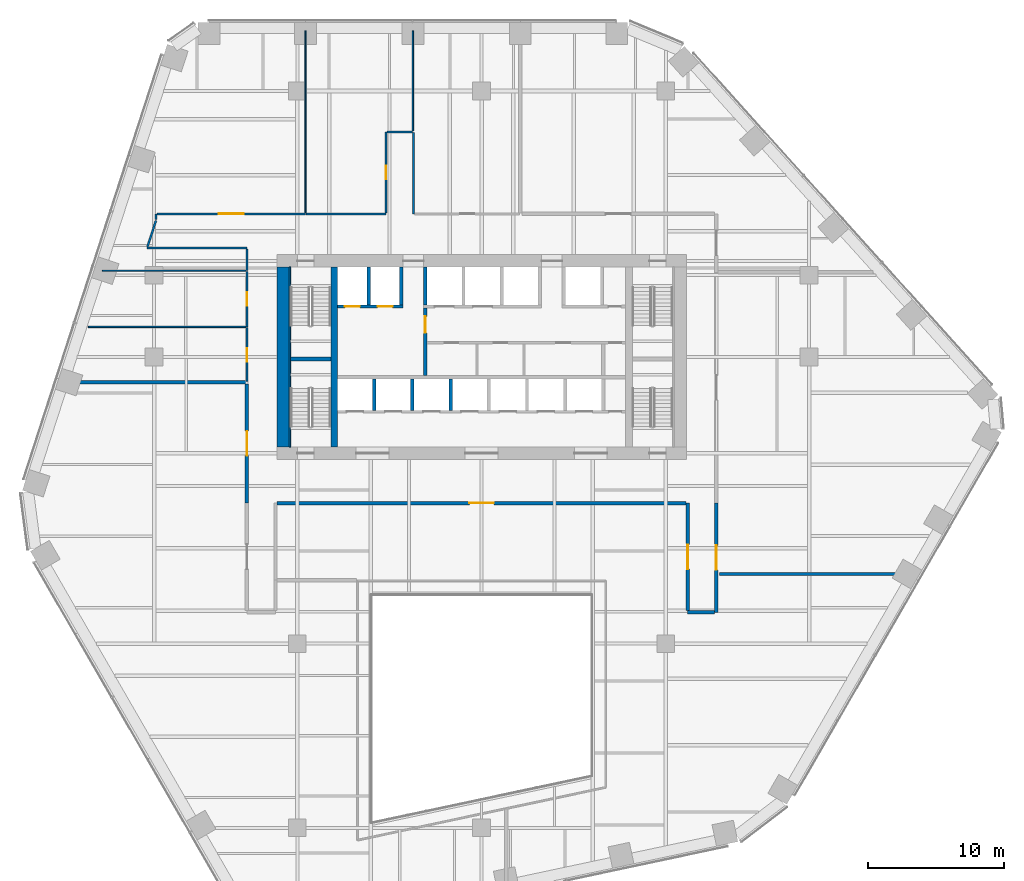
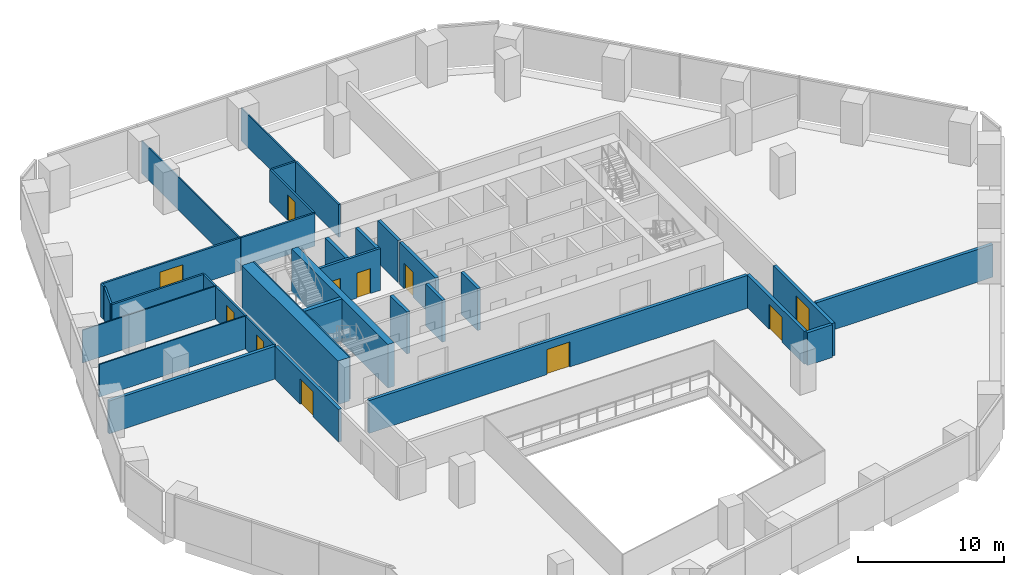
# One storey, part 14 of 19: 34 walls, 11 doors, 11 openings.
"""IFC4 building model written with IfcOpenShell, lengths in metres."""

from ifc_helpers import new_model, si_unit, direction, frame, frame_2d, origin, place, context, subcontext, project, spatial, rectangle, extrude, material, layer, layer_set, type_object, element, fill, save


model = new_model("IFC4")

# Units and contexts
model_context = context("Model", 3, precision=1e-05, world=origin(), true_north=direction((0.0, 1.0)))
body_context = subcontext(model_context, "Body", "Model", "MODEL_VIEW")
ifc_project = project(units=[si_unit("LENGTHUNIT", "METRE"), si_unit("AREAUNIT", "SQUARE_METRE"), si_unit("VOLUMEUNIT", "CUBIC_METRE"), si_unit("PLANEANGLEUNIT", "RADIAN"), si_unit("MASSUNIT", "GRAM", prefix="KILO")], contexts=[model_context])

# Site, building, storey
site_placement = place(None, origin())
site = spatial("IfcSite", under=ifc_project, at=site_placement, CompositionType="ELEMENT")
building_placement = place(site_placement, origin())
building = spatial("IfcBuilding", under=site, at=building_placement, Name="Isthmus Gate Tower", CompositionType="ELEMENT")
storey_placement = place(building_placement, frame((0.0, 0.0, 95.25)))
storey = spatial("IfcBuildingStorey", under=building, at=storey_placement, Name="L22", CompositionType="ELEMENT", Elevation=95.25)

# Wall, opening, door
ifc_material_1 = material(Name="Double-leaf acoustic stud wall, fire-rated", Category="gypsum")
ifc_layer_1 = layer(ifc_material_1, 0.25)
ifc_layer_set_1 = layer_set([ifc_layer_1], Name="ACOUSTIC WALL 250 60 MIN")
wall_type_1 = type_object("IfcWallType", Name="ACOUSTIC WALL 250 60 MIN", PredefinedType="PARTITIONING", material=ifc_layer_set_1)
wall_1_placement = place(storey_placement, frame((14.97509765625, -3.199951171875, 0.0), z_axis=(0.0, 0.0, 1.0), x_axis=(-1.0, 0.0, 0.0)))
wall_1 = element("IfcWall", 1, at=wall_1_placement, inside=storey, type_object=wall_type_1, Name="L22 Acoustic Wall 250 60 Min", PredefinedType="PARTITIONING", context=body_context, shape_type="SweptSolid", body=[
    extrude(rectangle(XDim=29.9501953125, YDim=0.25, at=frame_2d((14.97509765625, 0.0))), origin(), (0.0, 0.0, 1.0), 2.7412109375),
])
opening_1_placement = place(wall_1_placement, frame((14.074951171875, 0.0, 0.0)))
opening_1 = element("IfcOpeningElement", 2, at=opening_1_placement, cuts=wall_1, Name="Opening DT-T2B-12", PredefinedType="OPENING", context=body_context, shape_type="SweptSolid", body=[
    extrude(rectangle(XDim=1.800048828125, YDim=2.10009765625, at=frame_2d((0.89990234375, 1.050048828125))), frame((0.0, 0.135009765625, 0.0), z_axis=(0.0, -1.0, 0.0), x_axis=(1.0, 0.0, 0.0)), (0.0, 0.0, 1.0), 0.27001953125),
])
ifc_material_2 = material(Name="Solid core timber door leaf, fire-rated", Category="wood")
door_type_1 = type_object("IfcDoorType", Name="FIRE DOOR ACOUSTIC ROOM 1800 X 2100 60 MIN", OperationType="DOUBLE_DOOR_DOUBLE_SWING", PredefinedType="DOOR", material=ifc_material_2)
door_1_placement = place(opening_1_placement, origin())
door_1 = element("IfcDoor", 3, at=door_1_placement, inside=storey, type_object=door_type_1, Name="L22 room door", OperationType="DOUBLE_DOOR_DOUBLE_SWING", OverallHeight=2.10009765625, OverallWidth=1.800048828125, PredefinedType="DOOR", context=body_context, shape_type="SweptSolid", body=[
    extrude(rectangle(XDim=1.800048828125, YDim=2.10009765625, at=frame_2d((0.89990234375, 1.050048828125))), frame((0.0, 0.02490234375, 0.0), z_axis=(0.0, -1.0, 0.0), x_axis=(1.0, 0.0, 0.0)), (0.0, 0.0, 1.0), 0.050048828125),
])
fill(opening_1, door_1)

wall_2_placement = place(storey_placement, frame((17.197998046875, -3.18798828125, 0.0), z_axis=(0.0, 0.0, 1.0), x_axis=(0.0, -1.0, 0.0)))
wall_2 = element("IfcWall", 4, at=wall_2_placement, inside=storey, type_object=wall_type_1, Name="L22 Acoustic Wall 250 60 Min", PredefinedType="PARTITIONING", context=body_context, shape_type="SweptSolid", body=[
    extrude(rectangle(XDim=8.011962890625, YDim=0.25, at=frame_2d((4.005859375, 0.0))), origin(), (0.0, 0.0, 1.0), 2.7412109375),
])
opening_2_placement = place(wall_2_placement, frame((3.10595703125, 0.0, 0.0)))
opening_2 = element("IfcOpeningElement", 5, at=opening_2_placement, cuts=wall_2, Name="Opening DT-T2B-09", PredefinedType="OPENING", context=body_context, shape_type="SweptSolid", body=[
    extrude(rectangle(XDim=1.800048828125, YDim=2.10009765625, at=frame_2d((0.89990234375, 1.050048828125))), frame((0.0, 0.135009765625, 0.0), z_axis=(0.0, -1.0, 0.0), x_axis=(1.0, 0.0, 0.0)), (0.0, 0.0, 1.0), 0.27001953125),
])
door_2_placement = place(opening_2_placement, origin())
door_2 = element("IfcDoor", 6, at=door_2_placement, inside=storey, type_object=door_type_1, Name="L22 room door", OperationType="DOUBLE_DOOR_DOUBLE_SWING", OverallHeight=2.10009765625, OverallWidth=1.800048828125, PredefinedType="DOOR", context=body_context, shape_type="SweptSolid", body=[
    extrude(rectangle(XDim=1.800048828125, YDim=2.10009765625, at=frame_2d((0.89990234375, 1.050048828125))), frame((0.0, 0.02490234375, 0.0), z_axis=(0.0, -1.0, 0.0), x_axis=(1.0, 0.0, 0.0)), (0.0, 0.0, 1.0), 0.050048828125),
])
fill(opening_2, door_2)

# Walls
wall_3_placement = place(storey_placement, frame((17.072998046875, -11.199951171875, 0.0), z_axis=(0.0, 0.0, 1.0), x_axis=(-1.0, 0.0, 0.0)))
element("IfcWall", 7, at=wall_3_placement, inside=storey, type_object=wall_type_1, Name="L22 Acoustic Wall 250 60 Min", PredefinedType="PARTITIONING", context=body_context, shape_type="SweptSolid", body=[
    extrude(rectangle(XDim=1.972900390625, YDim=0.25, at=frame_2d((0.986328125, 0.0))), origin(), (0.0, 0.0, 1.0), 2.7412109375),
])
wall_4_placement = place(storey_placement, frame((-30.44091796875, 5.660888671875, 0.0), z_axis=(0.0, 0.0, 1.0), x_axis=(1.0, 0.0, 0.0)))
element("IfcWall", 8, at=wall_4_placement, inside=storey, type_object=wall_type_1, Name="L22 Acoustic Wall 250 60 Min", PredefinedType="PARTITIONING", context=body_context, shape_type="SweptSolid", body=[
    extrude(rectangle(XDim=13.166015625, YDim=0.25, at=frame_2d((6.5830078125, 0.0))), origin(), (0.0, 0.0, 1.0), 2.7412109375),
])
wall_5_placement = place(storey_placement, frame((17.425048828125, -8.39990234375, 0.0), z_axis=(0.0, 0.0, 1.0), x_axis=(1.0, 0.0, 0.0)))
element("IfcWall", 9, at=wall_5_placement, inside=storey, type_object=wall_type_1, Name="L22 Acoustic Wall 250 60 Min", PredefinedType="PARTITIONING", context=body_context, shape_type="SweptSolid", body=[
    extrude(rectangle(XDim=13.98291015625, YDim=0.25, at=frame_2d((6.991455078125, 0.0))), origin(), (0.0, 0.0, 1.0), 2.7412109375),
])

# Wall, opening, door
wall_6_placement = place(storey_placement, frame((-17.199951171875, -3.18798828125, 0.0), z_axis=(0.0, 0.0, 1.0), x_axis=(0.0, 1.0, 0.0)))
wall_6 = element("IfcWall", 10, at=wall_6_placement, inside=storey, type_object=wall_type_1, Name="L22 Acoustic Wall 250 60 Min", PredefinedType="PARTITIONING", context=body_context, shape_type="SweptSolid", body=[
    extrude(rectangle(XDim=8.723876953125, YDim=0.25, at=frame_2d((4.36181640625, 0.0))), origin(), (0.0, 0.0, 1.0), 2.7412109375),
])
opening_3_placement = place(wall_6_placement, frame((3.4619140625, 0.0, 0.0)))
opening_3 = element("IfcOpeningElement", 11, at=opening_3_placement, cuts=wall_6, Name="Opening DT-T2B-10", PredefinedType="OPENING", context=body_context, shape_type="SweptSolid", body=[
    extrude(rectangle(XDim=1.800048828125, YDim=2.10009765625, at=frame_2d((0.89990234375, 1.050048828125))), frame((0.0, 0.135009765625, 0.0), z_axis=(0.0, -1.0, 0.0), x_axis=(1.0, 0.0, 0.0)), (0.0, 0.0, 1.0), 0.27001953125),
])
door_3_placement = place(opening_3_placement, origin())
door_3 = element("IfcDoor", 12, at=door_3_placement, inside=storey, type_object=door_type_1, Name="L22 room door", OperationType="DOUBLE_DOOR_DOUBLE_SWING", OverallHeight=2.10009765625, OverallWidth=1.800048828125, PredefinedType="DOOR", context=body_context, shape_type="SweptSolid", body=[
    extrude(rectangle(XDim=1.800048828125, YDim=2.10009765625, at=frame_2d((0.89990234375, 1.050048828125))), frame((0.0, 0.02490234375, 0.0), z_axis=(0.0, -1.0, 0.0), x_axis=(1.0, 0.0, 0.0)), (0.0, 0.0, 1.0), 0.050048828125),
])
fill(opening_3, door_3)

wall_7_placement = place(storey_placement, frame((15.10009765625, -11.074951171875, 0.0), z_axis=(0.0, 0.0, 1.0), x_axis=(0.0, 1.0, 0.0)))
wall_7 = element("IfcWall", 13, at=wall_7_placement, inside=storey, type_object=wall_type_1, Name="L22 Acoustic Wall 250 60 Min", PredefinedType="PARTITIONING", context=body_context, shape_type="SweptSolid", body=[
    extrude(rectangle(XDim=7.875, YDim=0.25, at=frame_2d((3.9375, 0.0))), origin(), (0.0, 0.0, 1.0), 2.7412109375),
])
opening_4_placement = place(wall_7_placement, frame((3.03759765625, 0.0, 0.0)))
opening_4 = element("IfcOpeningElement", 14, at=opening_4_placement, cuts=wall_7, Name="Opening DT-T2B-13", PredefinedType="OPENING", context=body_context, shape_type="SweptSolid", body=[
    extrude(rectangle(XDim=1.800048828125, YDim=2.10009765625, at=frame_2d((0.89990234375, 1.050048828125))), frame((0.0, 0.135009765625, 0.0), z_axis=(0.0, -1.0, 0.0), x_axis=(1.0, 0.0, 0.0)), (0.0, 0.0, 1.0), 0.27001953125),
])
door_4_placement = place(opening_4_placement, origin())
door_4 = element("IfcDoor", 15, at=door_4_placement, inside=storey, type_object=door_type_1, Name="L22 room door", OperationType="DOUBLE_DOOR_DOUBLE_SWING", OverallHeight=2.10009765625, OverallWidth=1.800048828125, PredefinedType="DOOR", context=body_context, shape_type="SweptSolid", body=[
    extrude(rectangle(XDim=1.800048828125, YDim=2.10009765625, at=frame_2d((0.89990234375, 1.050048828125))), frame((0.0, 0.02490234375, 0.0), z_axis=(0.0, -1.0, 0.0), x_axis=(1.0, 0.0, 0.0)), (0.0, 0.0, 1.0), 0.050048828125),
])
fill(opening_4, door_4)

# Walls
ifc_material_3 = material(Name="Gypsum board on steel studs, fire-rated", Category="steel")
ifc_layer_2 = layer(ifc_material_3, 0.14990234375)
ifc_layer_set_2 = layer_set([ifc_layer_2], Name="CORRIDOR WALL 150 60 MIN")
wall_type_2 = type_object("IfcWallType", Name="CORRIDOR WALL 150 60 MIN", PredefinedType="PARTITIONING", material=ifc_layer_set_2)
wall_8_placement = place(storey_placement, frame((-17.199951171875, 15.5, 0.0), z_axis=(0.0, 0.0, 1.0), x_axis=(-1.0, 0.0, 0.0)))
element("IfcWall", 16, at=wall_8_placement, inside=storey, type_object=wall_type_2, Name="L22 Corridor Wall 150 60 Min", PredefinedType="PARTITIONING", context=body_context, shape_type="SweptSolid", body=[
    extrude(rectangle(XDim=7.31103515625, YDim=0.14990234375, at=frame_2d((3.655517578125, 0.0))), origin(), (0.0, 0.0, 1.0), 2.7412109375),
])
wall_9_placement = place(storey_placement, frame((-5.0, 23.9619140625, 0.0), z_axis=(0.0, 0.0, 1.0), x_axis=(0.0, -1.0, 0.0)))
element("IfcWall", 17, at=wall_9_placement, inside=storey, type_object=wall_type_2, Name="L22 Corridor Wall 150 60 Min", PredefinedType="PARTITIONING", context=body_context, shape_type="SweptSolid", body=[
    extrude(rectangle(XDim=5.9619140625, YDim=0.14990234375, at=frame_2d((2.98095703125, 0.0))), origin(), (0.0, 0.0, 1.0), 2.7412109375),
])
wall_10_placement = place(storey_placement, frame((-24.48779296875, 15.5712890625, 0.0), z_axis=(0.0, 0.0, 1.0), x_axis=(0.309031629186, 0.951051761032, 0.0)))
element("IfcWall", 18, at=wall_10_placement, inside=storey, type_object=wall_type_2, Name="L22 Corridor Wall 150 60 Min", PredefinedType="PARTITIONING", context=body_context, shape_type="SweptSolid", body=[
    extrude(rectangle(XDim=2.028076171875, YDim=0.14990234375, at=frame_2d((1.01416015625, 0.0))), origin(), (0.0, 0.0, 1.0), 2.7412109375),
])
wall_11_placement = place(storey_placement, frame((-23.86279296875, 17.572998046875, 0.0), z_axis=(0.0, 0.0, 1.0), x_axis=(0.004002254967, 0.999991990946, 0.0)))
element("IfcWall", 19, at=wall_11_placement, inside=storey, type_object=wall_type_2, Name="L22 Corridor Wall 150 60 Min", PredefinedType="PARTITIONING", context=body_context, shape_type="SweptSolid", body=[
    extrude(rectangle(XDim=0.427001953125, YDim=0.14990234375, at=frame_2d((0.21337890625, 0.0))), origin(), (0.0, 0.0, 1.0), 2.7412109375),
])

# Wall, opening, door
wall_12_placement = place(storey_placement, frame((-23.785888671875, 18.0, 0.0), z_axis=(0.0, 0.0, 1.0), x_axis=(1.0, 0.0, 0.0)))
wall_12 = element("IfcWall", 20, at=wall_12_placement, inside=storey, type_object=wall_type_2, Name="L22 Corridor Wall 150 60 Min", PredefinedType="PARTITIONING", context=body_context, shape_type="SweptSolid", body=[
    extrude(rectangle(XDim=10.87890625, YDim=0.14990234375, at=frame_2d((5.439453125, 0.0))), origin(), (0.0, 0.0, 1.0), 2.7412109375),
])
opening_5_placement = place(wall_12_placement, frame((4.53955078125, 0.0, 0.0)))
opening_5 = element("IfcOpeningElement", 21, at=opening_5_placement, cuts=wall_12, Name="Opening DT-T2B-01", PredefinedType="OPENING", context=body_context, shape_type="SweptSolid", body=[
    extrude(rectangle(XDim=1.800048828125, YDim=2.10009765625, at=frame_2d((0.89990234375, 1.050048828125))), frame((0.0, 0.0849609375, 0.0), z_axis=(0.0, -1.0, 0.0), x_axis=(1.0, 0.0, 0.0)), (0.0, 0.0, 1.0), 0.169921875),
])
ifc_material_4 = material(Name="Solid core timber door leaf, fire-rated", Category="wood")
door_type_2 = type_object("IfcDoorType", Name="FIRE DOOR ROOM 1800 X 2100 60 MIN", OperationType="DOUBLE_DOOR_DOUBLE_SWING", PredefinedType="DOOR", material=ifc_material_4)
door_5_placement = place(opening_5_placement, origin())
door_5 = element("IfcDoor", 22, at=door_5_placement, inside=storey, type_object=door_type_2, Name="L22 room door", OperationType="DOUBLE_DOOR_DOUBLE_SWING", OverallHeight=2.10009765625, OverallWidth=1.800048828125, PredefinedType="DOOR", context=body_context, shape_type="SweptSolid", body=[
    extrude(rectangle(XDim=1.800048828125, YDim=2.10009765625, at=frame_2d((0.89990234375, 1.050048828125))), frame((0.0, 0.02490234375, 0.0), z_axis=(0.0, -1.0, 0.0), x_axis=(1.0, 0.0, 0.0)), (0.0, 0.0, 1.0), 0.050048828125),
])
fill(opening_5, door_5)

# Walls
wall_13_placement = place(storey_placement, frame((-17.199951171875, 13.830078125, 0.0), z_axis=(0.0, 0.0, 1.0), x_axis=(0.0, 1.0, 0.0)))
element("IfcWall", 23, at=wall_13_placement, inside=storey, type_object=wall_type_2, Name="L22 Corridor Wall 150 60 Min", PredefinedType="PARTITIONING", context=body_context, shape_type="SweptSolid", body=[
    extrude(rectangle(XDim=1.594970703125, YDim=0.14990234375, at=frame_2d((0.79736328125, 0.0))), origin(), (0.0, 0.0, 1.0), 2.7412109375),
])
wall_14_placement = place(storey_placement, frame((-12.85693359375, 18.0, 0.0), z_axis=(0.0, 0.0, 1.0), x_axis=(1.0, 0.0, 0.0)))
element("IfcWall", 24, at=wall_14_placement, inside=storey, type_object=wall_type_2, Name="L22 Corridor Wall 150 60 Min", PredefinedType="PARTITIONING", context=body_context, shape_type="SweptSolid", body=[
    extrude(rectangle(XDim=5.85693359375, YDim=0.14990234375, at=frame_2d((2.928466796875, 0.0))), origin(), (0.0, 0.0, 1.0), 2.7412109375),
])

# Wall, opening, door
wall_15_placement = place(storey_placement, frame((-7.0, 18.074951171875, 0.0), z_axis=(0.0, 0.0, 1.0), x_axis=(0.0, 1.0, 0.0)))
wall_15 = element("IfcWall", 25, at=wall_15_placement, inside=storey, type_object=wall_type_2, Name="L22 Corridor Wall 150 60 Min", PredefinedType="PARTITIONING", context=body_context, shape_type="SweptSolid", body=[
    extrude(rectangle(XDim=5.925048828125, YDim=0.14990234375, at=frame_2d((2.96240234375, 0.0))), origin(), (0.0, 0.0, 1.0), 2.7412109375),
])
opening_6_placement = place(wall_15_placement, frame((2.46240234375, 0.0, 0.0)))
opening_6 = element("IfcOpeningElement", 26, at=opening_6_placement, cuts=wall_15, Name="Opening DT-T2B-02", PredefinedType="OPENING", context=body_context, shape_type="SweptSolid", body=[
    extrude(rectangle(XDim=1.0, YDim=2.10009765625, at=frame_2d((0.5, 1.050048828125))), frame((0.0, 0.0849609375, 0.0), z_axis=(0.0, -1.0, 0.0), x_axis=(1.0, 0.0, 0.0)), (0.0, 0.0, 1.0), 0.169921875),
])
ifc_material_5 = material(Name="Solid core timber door leaf, fire-rated", Category="wood")
door_type_3 = type_object("IfcDoorType", Name="FIRE DOOR ROOM 1000 X 2100 60 MIN", OperationType="SINGLE_SWING_LEFT", PredefinedType="DOOR", material=ifc_material_5)
door_6_placement = place(opening_6_placement, origin())
door_6 = element("IfcDoor", 27, at=door_6_placement, inside=storey, type_object=door_type_3, Name="L22 room door", OperationType="SINGLE_SWING_RIGHT", OverallHeight=2.10009765625, OverallWidth=1.0, PredefinedType="DOOR", context=body_context, shape_type="SweptSolid", body=[
    extrude(rectangle(XDim=1.0, YDim=2.10009765625, at=frame_2d((0.5, 1.050048828125))), frame((0.0, 0.02490234375, 0.0), z_axis=(0.0, -1.0, 0.0), x_axis=(1.0, 0.0, 0.0)), (0.0, 0.0, 1.0), 0.050048828125),
])
fill(opening_6, door_6)

# Wall
wall_16_placement = place(storey_placement, frame((-6.925048828125, 24.0, 0.0), z_axis=(0.0, 0.0, 1.0), x_axis=(1.0, 0.0, 0.0)))
element("IfcWall", 28, at=wall_16_placement, inside=storey, type_object=wall_type_2, Name="L22 Corridor Wall 150 60 Min", PredefinedType="PARTITIONING", context=body_context, shape_type="SweptSolid", body=[
    extrude(rectangle(XDim=1.865966796875, YDim=0.14990234375, at=frame_2d((0.93310546875, 0.0))), origin(), (0.0, 0.0, 1.0), 2.7412109375),
])

# Wall, opening, door
wall_17_placement = place(storey_placement, frame((-17.199951171875, 9.714111328125, 0.0), z_axis=(0.0, 0.0, 1.0), x_axis=(0.0, 1.0, 0.0)))
wall_17 = element("IfcWall", 29, at=wall_17_placement, inside=storey, type_object=wall_type_2, Name="L22 Corridor Wall 150 60 Min", PredefinedType="PARTITIONING", context=body_context, shape_type="SweptSolid", body=[
    extrude(rectangle(XDim=4.06591796875, YDim=0.14990234375, at=frame_2d((2.032958984375, 0.0))), origin(), (0.0, 0.0, 1.0), 2.7412109375),
])
opening_7_placement = place(wall_17_placement, frame((1.532958984375, 0.0, 0.0)))
opening_7 = element("IfcOpeningElement", 30, at=opening_7_placement, cuts=wall_17, Name="Opening DT-T2B-06", PredefinedType="OPENING", context=body_context, shape_type="SweptSolid", body=[
    extrude(rectangle(XDim=1.0, YDim=2.10009765625, at=frame_2d((0.5, 1.050048828125))), frame((0.0, 0.0849609375, 0.0), z_axis=(0.0, -1.0, 0.0), x_axis=(1.0, 0.0, 0.0)), (0.0, 0.0, 1.0), 0.169921875),
])
door_7_placement = place(opening_7_placement, origin())
door_7 = element("IfcDoor", 31, at=door_7_placement, inside=storey, type_object=door_type_3, Name="L22 room door", OperationType="SINGLE_SWING_RIGHT", OverallHeight=2.10009765625, OverallWidth=1.0, PredefinedType="DOOR", context=body_context, shape_type="SweptSolid", body=[
    extrude(rectangle(XDim=1.0, YDim=2.10009765625, at=frame_2d((0.5, 1.050048828125))), frame((0.0, 0.02490234375, 0.0), z_axis=(0.0, -1.0, 0.0), x_axis=(1.0, 0.0, 0.0)), (0.0, 0.0, 1.0), 0.050048828125),
])
fill(opening_7, door_7)

wall_18_placement = place(storey_placement, frame((-17.199951171875, 5.7109375, 0.0), z_axis=(0.0, 0.0, 1.0), x_axis=(0.0, 1.0, 0.0)))
wall_18 = element("IfcWall", 32, at=wall_18_placement, inside=storey, type_object=wall_type_2, Name="L22 Corridor Wall 150 60 Min", PredefinedType="PARTITIONING", context=body_context, shape_type="SweptSolid", body=[
    extrude(rectangle(XDim=3.953125, YDim=0.14990234375, at=frame_2d((1.9765625, 0.0))), origin(), (0.0, 0.0, 1.0), 2.7412109375),
])
opening_8_placement = place(wall_18_placement, frame((1.451416015625, 0.0, 0.0)))
opening_8 = element("IfcOpeningElement", 33, at=opening_8_placement, cuts=wall_18, Name="Opening DT-T2B-07", PredefinedType="OPENING", context=body_context, shape_type="SweptSolid", body=[
    extrude(rectangle(XDim=1.0, YDim=2.10009765625, at=frame_2d((0.5, 1.050048828125))), frame((0.0, 0.0849609375, 0.0), z_axis=(0.0, -1.0, 0.0), x_axis=(1.0, 0.0, 0.0)), (0.0, 0.0, 1.0), 0.169921875),
])
door_8_placement = place(opening_8_placement, origin())
door_8 = element("IfcDoor", 34, at=door_8_placement, inside=storey, type_object=door_type_3, Name="L22 room door", OperationType="SINGLE_SWING_RIGHT", OverallHeight=2.10009765625, OverallWidth=1.0, PredefinedType="DOOR", context=body_context, shape_type="SweptSolid", body=[
    extrude(rectangle(XDim=1.0, YDim=2.10009765625, at=frame_2d((0.5, 1.050048828125))), frame((0.0, 0.02490234375, 0.0), z_axis=(0.0, -1.0, 0.0), x_axis=(1.0, 0.0, 0.0)), (0.0, 0.0, 1.0), 0.050048828125),
])
fill(opening_8, door_8)

ifc_material_6 = material(Name="Fire-rated blockwork masonry, 15 MPa", Category="masonry")
ifc_layer_3 = layer(ifc_material_6, 0.25)
ifc_layer_set_3 = layer_set([ifc_layer_3], Name="FIRE-FIGHTING LOBBY WALL 250 90 MIN")
wall_type_3 = type_object("IfcWallType", Name="FIRE-FIGHTING LOBBY WALL 250 90 MIN", PredefinedType="PARTITIONING", material=ifc_layer_set_3)
wall_19_placement = place(storey_placement, frame((-4.125, 6.14990234375, 0.0), z_axis=(0.0, 0.0, 1.0), x_axis=(0.0, 1.0, 0.0)))
wall_19 = element("IfcWall", 35, at=wall_19_placement, inside=storey, type_object=wall_type_3, Name="L22 FIRE-FIGHTING LOBBY WALL 250 90 MIN", PredefinedType="PARTITIONING", context=body_context, shape_type="SweptSolid", body=[
    extrude(rectangle(XDim=4.9501953125, YDim=0.25, at=frame_2d((2.47509765625, 0.0))), origin(), (0.0, 0.0, 1.0), 3.5),
])
opening_9_placement = place(wall_19_placement, frame((3.125, 0.0, 0.0)))
opening_9 = element("IfcOpeningElement", 36, at=opening_9_placement, cuts=wall_19, Name="Opening DC-A03-01", PredefinedType="OPENING", context=body_context, shape_type="SweptSolid", body=[
    extrude(rectangle(XDim=1.199951171875, YDim=2.10009765625, at=frame_2d((0.60009765625, 1.050048828125))), frame((0.0, 0.135009765625, 0.0), z_axis=(0.0, -1.0, 0.0), x_axis=(1.0, 0.0, 0.0)), (0.0, 0.0, 1.0), 0.27001953125),
])
ifc_material_7 = material(Name="Steel door leaf, fire-rated", Category="steel")
door_type_4 = type_object("IfcDoorType", Name="LOBBY FIRE DOOR 1200 X 2100 90 MIN", OperationType="DOUBLE_DOOR_SINGLE_SWING", PredefinedType="DOOR", material=ifc_material_7)
door_9_placement = place(opening_9_placement, origin())
door_9 = element("IfcDoor", 37, at=door_9_placement, inside=storey, type_object=door_type_4, Name="Fire-fighting Lobby Door", OperationType="SINGLE_SWING_LEFT", OverallHeight=2.10009765625, OverallWidth=1.199951171875, PredefinedType="DOOR", context=body_context, shape_type="SweptSolid", body=[
    extrude(rectangle(XDim=1.199951171875, YDim=2.10009765625, at=frame_2d((0.60009765625, 1.050048828125))), frame((0.0, 0.02490234375, 0.0), z_axis=(0.0, -1.0, 0.0), x_axis=(1.0, 0.0, 0.0)), (0.0, 0.0, 1.0), 0.050048828125),
])
fill(opening_9, door_9)

# Walls
ifc_material_8 = material(Name="Concrete f'c 70 MPa", Category="concrete")
ifc_layer_4 = layer(ifc_material_8, 0.5)
ifc_layer_set_4 = layer_set([ifc_layer_4], Name="RC CORE SPINE WALL 500 F'C 70")
wall_type_4 = type_object("IfcWallType", Name="RC CORE SPINE WALL 500 F'C 70", PredefinedType="SOLIDWALL", material=ifc_layer_set_4)
wall_20_placement = place(storey_placement, frame((-10.800048828125, 0.89990234375, -0.14990234375), z_axis=(0.0, 0.0, 1.0), x_axis=(0.0, 1.0, 0.0)))
element("IfcWall", 38, at=wall_20_placement, inside=storey, type_object=wall_type_4, Name="str-corewall-L22-SPW", PredefinedType="SOLIDWALL", context=body_context, shape_type="SweptSolid", body=[
    extrude(rectangle(XDim=13.2001953125, YDim=0.5, at=frame_2d((6.60009765625, 0.0))), origin(), (0.0, 0.0, 1.0), 3.64990234375),
])
ifc_material_9 = material(Name="Concrete f'c 70 MPa", Category="concrete")
ifc_layer_5 = layer(ifc_material_9, 0.89990234375)
ifc_layer_set_5 = layer_set([ifc_layer_5], Name="RC CORE WALL 900 F'C 70")
wall_type_5 = type_object("IfcWallType", Name="RC CORE WALL 900 F'C 70", PredefinedType="SOLIDWALL", material=ifc_layer_set_5)
wall_21_placement = place(storey_placement, frame((-14.550048828125, 0.89990234375, -0.14990234375), z_axis=(0.0, 0.0, 1.0), x_axis=(0.0, 1.0, 0.0)))
element("IfcWall", 39, at=wall_21_placement, inside=storey, type_object=wall_type_5, Name="str-corewall-L22-W", PredefinedType="SOLIDWALL", context=body_context, shape_type="SweptSolid", body=[
    extrude(rectangle(XDim=13.2001953125, YDim=0.89990234375, at=frame_2d((6.60009765625, 0.0))), origin(), (0.0, 0.0, 1.0), 3.64990234375),
])
ifc_material_10 = material(Name="Gypsum board on steel studs, fire-rated", Category="steel")
ifc_layer_6 = layer(ifc_material_10, 0.10009765625)
ifc_layer_set_6 = layer_set([ifc_layer_6], Name="ROOM PARTITION 100 30 MIN")
wall_type_6 = type_object("IfcWallType", Name="ROOM PARTITION 100 30 MIN", PredefinedType="PARTITIONING", material=ifc_layer_set_6)
wall_22_placement = place(storey_placement, frame((-12.906982421875, 18.074951171875, 0.0), z_axis=(0.0, 0.0, 1.0), x_axis=(0.0, 1.0, 0.0)))
element("IfcWall", 40, at=wall_22_placement, inside=storey, type_object=wall_type_6, Name="L22 Room Partition 100 30 Min", PredefinedType="PARTITIONING", context=body_context, shape_type="SweptSolid", body=[
    extrude(rectangle(XDim=13.324951171875, YDim=0.10009765625, at=frame_2d((6.66259765625, 0.0))), origin(), (0.0, 0.0, 1.0), 2.7412109375),
])
wall_23_placement = place(storey_placement, frame((-27.787109375, 13.830078125, 0.0), z_axis=(0.0, 0.0, 1.0), x_axis=(1.0, 0.0, 0.0)))
element("IfcWall", 41, at=wall_23_placement, inside=storey, type_object=wall_type_6, Name="L22 Room Partition 100 30 Min", PredefinedType="PARTITIONING", context=body_context, shape_type="SweptSolid", body=[
    extrude(rectangle(XDim=10.51220703125, YDim=0.10009765625, at=frame_2d((5.256103515625, 0.0))), origin(), (0.0, 0.0, 1.0), 2.7412109375),
])
wall_24_placement = place(storey_placement, frame((-5.037109375, 24.074951171875, 0.0), z_axis=(0.0, 0.0, 1.0), x_axis=(0.0, 1.0, 0.0)))
element("IfcWall", 42, at=wall_24_placement, inside=storey, type_object=wall_type_6, Name="L22 Room Partition 100 30 Min", PredefinedType="PARTITIONING", context=body_context, shape_type="SweptSolid", body=[
    extrude(rectangle(XDim=7.324951171875, YDim=0.10009765625, at=frame_2d((3.66259765625, 0.0))), origin(), (0.0, 0.0, 1.0), 2.7412109375),
])
wall_25_placement = place(storey_placement, frame((-28.823974609375, 9.714111328125, 0.0), z_axis=(0.0, 0.0, 1.0), x_axis=(1.0, 0.0, 0.0)))
element("IfcWall", 43, at=wall_25_placement, inside=storey, type_object=wall_type_6, Name="L22 Room Partition 100 30 Min", PredefinedType="PARTITIONING", context=body_context, shape_type="SweptSolid", body=[
    extrude(rectangle(XDim=11.549072265625, YDim=0.10009765625, at=frame_2d((5.7744140625, 0.0))), origin(), (0.0, 0.0, 1.0), 2.7412109375),
])

# Wall, openings, doors
ifc_material_11 = material(Name="Fire-rated blockwork masonry, 15 MPa", Category="masonry")
ifc_layer_7 = layer(ifc_material_11, 0.199951171875)
ifc_layer_set_7 = layer_set([ifc_layer_7], Name="SHAFT FRONT WALL 200 120 MIN")
wall_type_7 = type_object("IfcWallType", Name="SHAFT FRONT WALL 200 120 MIN", PredefinedType="PARTITIONING", material=ifc_layer_set_7)
wall_26_placement = place(storey_placement, frame((-10.550048828125, 11.199951171875, 0.0), z_axis=(0.0, 0.0, 1.0), x_axis=(1.0, 0.0, 0.0)))
wall_26 = element("IfcWall", 44, at=wall_26_placement, inside=storey, type_object=wall_type_7, Name="L22 SHAFT FRONT WALL 200 120 MIN", PredefinedType="PARTITIONING", context=body_context, shape_type="SweptSolid", body=[
    extrude(rectangle(XDim=4.800048828125, YDim=0.199951171875, at=frame_2d((2.39990234375, 0.0))), origin(), (0.0, 0.0, 1.0), 3.5),
])
opening_10_placement = place(wall_26_placement, frame((0.52490234375, 0.0, 0.0)))
opening_10 = element("IfcOpeningElement", 45, at=opening_10_placement, cuts=wall_26, Name="Opening LD-LF1", PredefinedType="OPENING", context=body_context, shape_type="SweptSolid", body=[
    extrude(rectangle(XDim=1.10009765625, YDim=2.10009765625, at=frame_2d((0.550048828125, 1.050048828125))), frame((0.0, 0.10986328125, 0.0), z_axis=(0.0, -1.0, 0.0), x_axis=(1.0, 0.0, 0.0)), (0.0, 0.0, 1.0), 0.219970703125),
])
opening_11_placement = place(wall_26_placement, frame((2.925048828125, 0.0, 0.0)))
opening_11 = element("IfcOpeningElement", 46, at=opening_11_placement, cuts=wall_26, Name="Opening LD-LF2", PredefinedType="OPENING", context=body_context, shape_type="SweptSolid", body=[
    extrude(rectangle(XDim=1.10009765625, YDim=2.10009765625, at=frame_2d((0.550048828125, 1.050048828125))), frame((0.0, 0.10986328125, 0.0), z_axis=(0.0, -1.0, 0.0), x_axis=(1.0, 0.0, 0.0)), (0.0, 0.0, 1.0), 0.219970703125),
])
ifc_material_12 = material(Name="Stainless steel sliding leaf", Category="steel")
door_type_5 = type_object("IfcDoorType", Name="LIFT LANDING FIRE DOOR 1100 X 2100 90 MIN", OperationType="DOUBLE_DOOR_SLIDING", PredefinedType="DOOR", material=ifc_material_12)
door_10_placement = place(opening_10_placement, origin())
door_10 = element("IfcDoor", 47, at=door_10_placement, inside=storey, type_object=door_type_5, Name="Lift Landing Door LF1", OperationType="DOUBLE_DOOR_SLIDING", OverallHeight=2.10009765625, OverallWidth=1.10009765625, PredefinedType="DOOR", context=body_context, shape_type="SweptSolid", body=[
    extrude(rectangle(XDim=1.10009765625, YDim=2.10009765625, at=frame_2d((0.550048828125, 1.050048828125))), frame((0.0, 0.02490234375, 0.0), z_axis=(0.0, -1.0, 0.0), x_axis=(1.0, 0.0, 0.0)), (0.0, 0.0, 1.0), 0.050048828125),
])
fill(opening_10, door_10)
door_11_placement = place(opening_11_placement, origin())
door_11 = element("IfcDoor", 48, at=door_11_placement, inside=storey, type_object=door_type_5, Name="Lift Landing Door LF2", OperationType="DOUBLE_DOOR_SLIDING", OverallHeight=2.10009765625, OverallWidth=1.10009765625, PredefinedType="DOOR", context=body_context, shape_type="SweptSolid", body=[
    extrude(rectangle(XDim=1.10009765625, YDim=2.10009765625, at=frame_2d((0.550048828125, 1.050048828125))), frame((0.0, 0.02490234375, 0.0), z_axis=(0.0, -1.0, 0.0), x_axis=(1.0, 0.0, 0.0)), (0.0, 0.0, 1.0), 0.050048828125),
])
fill(opening_11, door_11)

# Walls
ifc_material_13 = material(Name="Fire-rated blockwork masonry, 15 MPa", Category="masonry")
ifc_layer_8 = layer(ifc_material_13, 0.25)
ifc_layer_set_8 = layer_set([ifc_layer_8], Name="SHAFT WALL 250 120 MIN")
wall_type_8 = type_object("IfcWallType", Name="SHAFT WALL 250 120 MIN", PredefinedType="PARTITIONING", material=ifc_layer_set_8)
for number, where, z_axis, x_axis, name in (
    (49, (-7.875, 3.60009765625, 0.0), (0.0, 0.0, 1.0), (0.0, 1.0, 0.0), "L22 SHAFT WALL 250 120 MIN"),
    (50, (-5.074951171875, 3.60009765625, 0.0), (0.0, 0.0, 1.0), (0.0, 1.0, 0.0), "L22 SHAFT WALL 250 120 MIN"),
    (51, (-2.27490234375, 3.60009765625, 0.0), (0.0, 0.0, 1.0), (0.0, 1.0, 0.0), "L22 SHAFT WALL 250 120 MIN"),
):
    element("IfcWall", number, at=place(storey_placement, frame(where, z_axis=z_axis, x_axis=x_axis)), inside=storey, type_object=wall_type_8, Name=name, PredefinedType="PARTITIONING", context=body_context, shape_type="SweptSolid", body=[
        extrude(rectangle(XDim=2.2998046875, YDim=0.25, at=frame_2d((1.14990234375, 0.0))), origin(), (0.0, 0.0, 1.0), 3.5),
    ])
for number, where, z_axis, x_axis, name in (
    (52, (-8.27490234375, 11.300048828125, 0.0), (0.0, 0.0, 1.0), (0.0, 1.0, 0.0), "L22 SHAFT WALL 250 120 MIN"),
    (53, (-5.875, 11.300048828125, 0.0), (0.0, 0.0, 1.0), (0.0, 1.0, 0.0), "L22 SHAFT WALL 250 120 MIN"),
    (54, (-4.125, 11.300048828125, 0.0), (0.0, 0.0, 1.0), (0.0, 1.0, 0.0), "L22 SHAFT WALL 250 120 MIN"),
):
    element("IfcWall", number, at=place(storey_placement, frame(where, z_axis=z_axis, x_axis=x_axis)), inside=storey, type_object=wall_type_8, Name=name, PredefinedType="PARTITIONING", context=body_context, shape_type="SweptSolid", body=[
        extrude(rectangle(XDim=2.800048828125, YDim=0.25, at=frame_2d((1.39990234375, 0.0))), origin(), (0.0, 0.0, 1.0), 3.5),
    ])
ifc_material_14 = material(Name="Concrete f'c 40 MPa", Category="concrete")
ifc_layer_9 = layer(ifc_material_14, 0.10009765625)
ifc_layer_set_9 = layer_set([ifc_layer_9], Name="STAIR ENCLOSURE WALL 100 180 MIN")
wall_type_9 = type_object("IfcWallType", Name="STAIR ENCLOSURE WALL 100 180 MIN", PredefinedType="SOLIDWALL", material=ifc_layer_set_9)
wall_27_placement = place(storey_placement, frame((-14.050048828125, 0.89990234375, 0.0), z_axis=(0.0, 0.0, 1.0), x_axis=(0.0, 1.0, 0.0)))
element("IfcWall", 55, at=wall_27_placement, inside=storey, type_object=wall_type_9, Name="L22 STAIR ENCLOSURE WALL 100 180 MIN", PredefinedType="SOLIDWALL", context=body_context, shape_type="SweptSolid", body=[
    extrude(rectangle(XDim=13.2001953125, YDim=0.10009765625, at=frame_2d((6.60009765625, 0.0))), origin(), (0.0, 0.0, 1.0), 3.5),
])
ifc_material_15 = material(Name="Concrete f'c 40 MPa", Category="concrete")
ifc_layer_10 = layer(ifc_material_15, 0.300048828125)
ifc_layer_set_10 = layer_set([ifc_layer_10], Name="STAIR ENCLOSURE WALL 300 180 MIN")
wall_type_10 = type_object("IfcWallType", Name="STAIR ENCLOSURE WALL 300 180 MIN", PredefinedType="SOLIDWALL", material=ifc_layer_set_10)
wall_28_placement = place(storey_placement, frame((-14.0, 7.35009765625, 0.0), z_axis=(0.0, 0.0, 1.0), x_axis=(1.0, 0.0, 0.0)))
element("IfcWall", 56, at=wall_28_placement, inside=storey, type_object=wall_type_10, Name="L22 STAIR ENCLOSURE WALL 300 180 MIN", PredefinedType="SOLIDWALL", context=body_context, shape_type="SweptSolid", body=[
    extrude(rectangle(XDim=2.949951171875, YDim=0.300048828125, at=frame_2d((1.47509765625, 0.0))), origin(), (0.0, 0.0, 1.0), 3.5),
])

save(model, "model.ifc")
